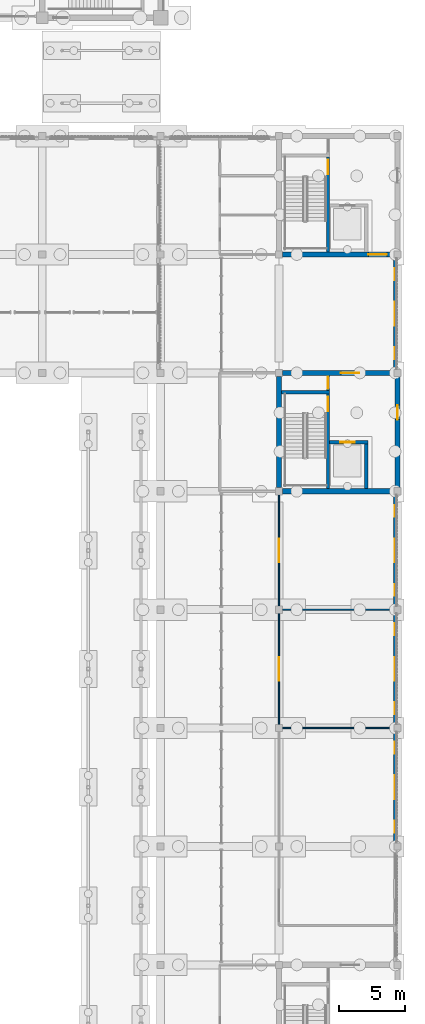
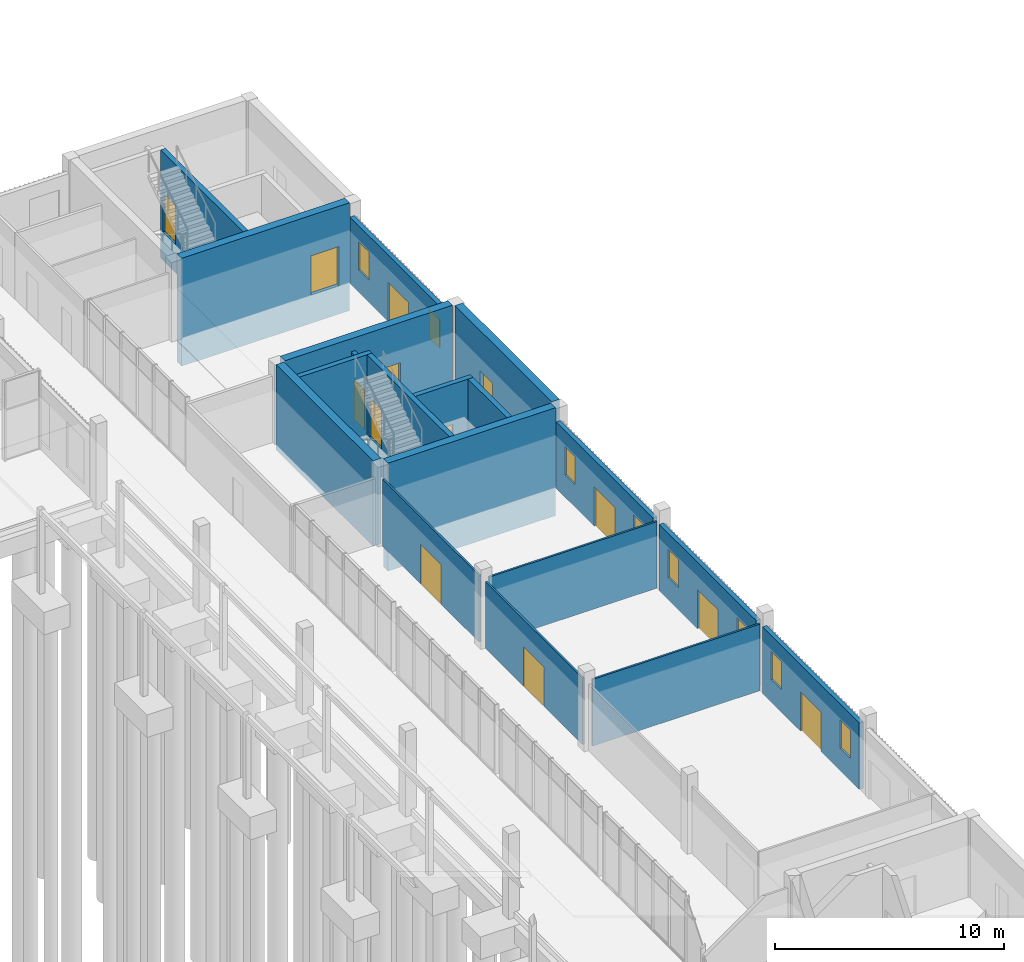
# One storey, part 75 of 106: 19 walls, 13 doors, 8 windows, 21 openings.
"""IFC4 building model written with IfcOpenShell, lengths in metres."""

from ifc_helpers import new_model, si_unit, direction, frame, frame_2d, origin, place, context, subcontext, project, spatial, rectangle, extrude, material, layer, layer_set, type_object, element, fill, save


model = new_model("IFC4")

# Units and contexts
model_context = context("Model", 3, precision=1e-05, world=origin(), true_north=direction((0.0, 1.0)))
body_context = subcontext(model_context, "Body", "Model", "MODEL_VIEW")
ifc_project = project(units=[si_unit("LENGTHUNIT", "METRE"), si_unit("AREAUNIT", "SQUARE_METRE"), si_unit("VOLUMEUNIT", "CUBIC_METRE"), si_unit("PLANEANGLEUNIT", "RADIAN"), si_unit("MASSUNIT", "GRAM", prefix="KILO")], contexts=[model_context])

# Site, building, storey
site_placement = place(None, origin())
site = spatial("IfcSite", under=ifc_project, at=site_placement, CompositionType="ELEMENT")
building_placement = place(site_placement, origin())
building = spatial("IfcBuilding", under=site, at=building_placement, Name="Merrow Basin Faculty of Sciences", CompositionType="ELEMENT")
storey_placement = place(building_placement, origin())
storey = spatial("IfcBuildingStorey", under=building, at=storey_placement, Name="L00", CompositionType="ELEMENT", Elevation=0.0)

# Wall, openings, windows, door
ifc_material_1 = material(Name="Precast concrete C40/50", Category="concrete")
ifc_layer_1 = layer(ifc_material_1, 0.215087890625)
ifc_layer_set_1 = layer_set([ifc_layer_1], Name="External infill wall 215 Precast concrete C40/50")
wall_type_1 = type_object("IfcWallType", Name="External infill wall 215 Precast concrete C40/50", PredefinedType="STANDARD", material=ifc_layer_set_1)
wall_1_placement = place(storey_placement, frame((71.80810546875, 87.72509765625, 0.0), z_axis=(0.0, 0.0, 1.0), x_axis=(0.0, -1.0, 0.0)))
wall_1 = element("IfcWall", 1, at=wall_1_placement, inside=storey, type_object=wall_type_1, Name="E external wall 3", PredefinedType="STANDARD", context=body_context, shape_type="SweptSolid", body=[
    extrude(rectangle(XDim=8.4501953125, YDim=0.215087890625, at=frame_2d((4.22509765625, 0.0))), origin(), (0.0, 0.0, 1.0), 3.550048828125),
])
opening_1_placement = place(wall_1_placement, frame((6.77490234375, 0.0, 1.199951171875)))
opening_1 = element("IfcOpeningElement", 2, at=opening_1_placement, cuts=wall_1, Name="Opening WN16", PredefinedType="OPENING", context=body_context, shape_type="SweptSolid", body=[
    extrude(rectangle(XDim=0.89990234375, YDim=1.5, at=frame_2d((0.449951171875, 0.75))), frame((0.0, 0.117431640625, 0.0), z_axis=(0.0, -1.0, 0.0), x_axis=(1.0, 0.0, 0.0)), (0.0, 0.0, 1.0), 0.235107421875),
])
opening_2_placement = place(wall_1_placement, frame((3.324951171875, 0.0, 0.0)))
opening_2 = element("IfcOpeningElement", 3, at=opening_2_placement, cuts=wall_1, Name="Opening D00C028", PredefinedType="OPENING", context=body_context, shape_type="SweptSolid", body=[
    extrude(rectangle(XDim=1.800048828125, YDim=2.10009765625, at=frame_2d((0.89990234375, 1.050048828125))), frame((0.0, 0.117431640625, 0.0), z_axis=(0.0, -1.0, 0.0), x_axis=(1.0, 0.0, 0.0)), (0.0, 0.0, 1.0), 0.235107421875),
])
opening_3_placement = place(wall_1_placement, frame((0.77490234375, 0.0, 1.199951171875)))
opening_3 = element("IfcOpeningElement", 4, at=opening_3_placement, cuts=wall_1, Name="Opening WN16", PredefinedType="OPENING", context=body_context, shape_type="SweptSolid", body=[
    extrude(rectangle(XDim=0.89990234375, YDim=1.5, at=frame_2d((0.449951171875, 0.75))), frame((0.0, 0.117431640625, 0.0), z_axis=(0.0, -1.0, 0.0), x_axis=(1.0, 0.0, 0.0)), (0.0, 0.0, 1.0), 0.235107421875),
])
ifc_material_2 = material(Name="Low-E double glazing", Category="glass")
window_type = type_object("IfcWindowType", Name="Boundary window 900 x 1500", PartitioningType="SINGLE_PANEL", PredefinedType="WINDOW", material=ifc_material_2)
window_1_placement = place(opening_1_placement, origin())
window_1 = element("IfcWindow", 5, at=window_1_placement, inside=storey, type_object=window_type, Name="E window L00", OverallHeight=1.5, OverallWidth=0.89990234375, PartitioningType="SINGLE_PANEL", PredefinedType="WINDOW", context=body_context, shape_type="SweptSolid", body=[
    extrude(rectangle(XDim=0.89990234375, YDim=1.5, at=frame_2d((0.449951171875, 0.75))), frame((0.0, 0.030029296875, 0.0), z_axis=(0.0, -1.0, 0.0), x_axis=(1.0, 0.0, 0.0)), (0.0, 0.0, 1.0), 0.06005859375),
])
fill(opening_1, window_1)
window_2_placement = place(opening_3_placement, origin())
window_2 = element("IfcWindow", 6, at=window_2_placement, inside=storey, type_object=window_type, Name="E window L00", OverallHeight=1.5, OverallWidth=0.89990234375, PartitioningType="SINGLE_PANEL", PredefinedType="WINDOW", context=body_context, shape_type="SweptSolid", body=[
    extrude(rectangle(XDim=0.89990234375, YDim=1.5, at=frame_2d((0.449951171875, 0.75))), frame((0.0, 0.030029296875, 0.0), z_axis=(0.0, -1.0, 0.0), x_axis=(1.0, 0.0, 0.0)), (0.0, 0.0, 1.0), 0.06005859375),
])
fill(opening_3, window_2)
ifc_material_3 = material(Name="Glazed aluminium door", Category="aluminium")
door_type_1 = type_object("IfcDoorType", Name="Double swing door 1800 x 2100", OperationType="NOTDEFINED", PredefinedType="DOOR", material=ifc_material_3)
door_1_placement = place(opening_2_placement, origin())
door_1 = element("IfcDoor", 7, at=door_1_placement, inside=storey, type_object=door_type_1, Name="E entrance door", OperationType="DOUBLE_DOOR_SINGLE_SWING", OverallHeight=2.10009765625, OverallWidth=1.800048828125, PredefinedType="DOOR", context=body_context, shape_type="SweptSolid", body=[
    extrude(rectangle(XDim=1.800048828125, YDim=2.10009765625, at=frame_2d((0.89990234375, 1.050048828125))), frame((0.0, 0.02490234375, 0.0), z_axis=(0.0, -1.0, 0.0), x_axis=(1.0, 0.0, 0.0)), (0.0, 0.0, 1.0), 0.050048828125),
])
fill(opening_2, door_1)

wall_2_placement = place(storey_placement, frame((71.80810546875, 96.72509765625, 0.0), z_axis=(0.0, 0.0, 1.0), x_axis=(0.0, -1.0, 0.0)))
wall_2 = element("IfcWall", 8, at=wall_2_placement, inside=storey, type_object=wall_type_1, Name="E external wall 4", PredefinedType="STANDARD", context=body_context, shape_type="SweptSolid", body=[
    extrude(rectangle(XDim=8.4501953125, YDim=0.215087890625, at=frame_2d((4.22509765625, 0.0))), origin(), (0.0, 0.0, 1.0), 3.550048828125),
])
opening_4_placement = place(wall_2_placement, frame((6.77490234375, 0.0, 1.199951171875)))
opening_4 = element("IfcOpeningElement", 9, at=opening_4_placement, cuts=wall_2, Name="Opening WN16", PredefinedType="OPENING", context=body_context, shape_type="SweptSolid", body=[
    extrude(rectangle(XDim=0.89990234375, YDim=1.5, at=frame_2d((0.449951171875, 0.75))), frame((0.0, 0.117431640625, 0.0), z_axis=(0.0, -1.0, 0.0), x_axis=(1.0, 0.0, 0.0)), (0.0, 0.0, 1.0), 0.235107421875),
])
opening_5_placement = place(wall_2_placement, frame((3.324951171875, 0.0, 0.0)))
opening_5 = element("IfcOpeningElement", 10, at=opening_5_placement, cuts=wall_2, Name="Opening D00C029", PredefinedType="OPENING", context=body_context, shape_type="SweptSolid", body=[
    extrude(rectangle(XDim=1.800048828125, YDim=2.10009765625, at=frame_2d((0.89990234375, 1.050048828125))), frame((0.0, 0.117431640625, 0.0), z_axis=(0.0, -1.0, 0.0), x_axis=(1.0, 0.0, 0.0)), (0.0, 0.0, 1.0), 0.235107421875),
])
opening_6_placement = place(wall_2_placement, frame((0.77490234375, 0.0, 1.199951171875)))
opening_6 = element("IfcOpeningElement", 11, at=opening_6_placement, cuts=wall_2, Name="Opening WN16", PredefinedType="OPENING", context=body_context, shape_type="SweptSolid", body=[
    extrude(rectangle(XDim=0.89990234375, YDim=1.5, at=frame_2d((0.449951171875, 0.75))), frame((0.0, 0.117431640625, 0.0), z_axis=(0.0, -1.0, 0.0), x_axis=(1.0, 0.0, 0.0)), (0.0, 0.0, 1.0), 0.235107421875),
])
window_3_placement = place(opening_4_placement, origin())
window_3 = element("IfcWindow", 12, at=window_3_placement, inside=storey, type_object=window_type, Name="E window L00", OverallHeight=1.5, OverallWidth=0.89990234375, PartitioningType="SINGLE_PANEL", PredefinedType="WINDOW", context=body_context, shape_type="SweptSolid", body=[
    extrude(rectangle(XDim=0.89990234375, YDim=1.5, at=frame_2d((0.449951171875, 0.75))), frame((0.0, 0.030029296875, 0.0), z_axis=(0.0, -1.0, 0.0), x_axis=(1.0, 0.0, 0.0)), (0.0, 0.0, 1.0), 0.06005859375),
])
fill(opening_4, window_3)
window_4_placement = place(opening_6_placement, origin())
window_4 = element("IfcWindow", 13, at=window_4_placement, inside=storey, type_object=window_type, Name="E window L00", OverallHeight=1.5, OverallWidth=0.89990234375, PartitioningType="SINGLE_PANEL", PredefinedType="WINDOW", context=body_context, shape_type="SweptSolid", body=[
    extrude(rectangle(XDim=0.89990234375, YDim=1.5, at=frame_2d((0.449951171875, 0.75))), frame((0.0, 0.030029296875, 0.0), z_axis=(0.0, -1.0, 0.0), x_axis=(1.0, 0.0, 0.0)), (0.0, 0.0, 1.0), 0.06005859375),
])
fill(opening_6, window_4)
door_2_placement = place(opening_5_placement, origin())
door_2 = element("IfcDoor", 14, at=door_2_placement, inside=storey, type_object=door_type_1, Name="E entrance door", OperationType="DOUBLE_DOOR_SINGLE_SWING", OverallHeight=2.10009765625, OverallWidth=1.800048828125, PredefinedType="DOOR", context=body_context, shape_type="SweptSolid", body=[
    extrude(rectangle(XDim=1.800048828125, YDim=2.10009765625, at=frame_2d((0.89990234375, 1.050048828125))), frame((0.0, 0.02490234375, 0.0), z_axis=(0.0, -1.0, 0.0), x_axis=(1.0, 0.0, 0.0)), (0.0, 0.0, 1.0), 0.050048828125),
])
fill(opening_5, door_2)

wall_3_placement = place(storey_placement, frame((71.80810546875, 105.72509765625, 0.0), z_axis=(0.0, 0.0, 1.0), x_axis=(0.0, -1.0, 0.0)))
wall_3 = element("IfcWall", 15, at=wall_3_placement, inside=storey, type_object=wall_type_1, Name="E external wall 5", PredefinedType="STANDARD", context=body_context, shape_type="SweptSolid", body=[
    extrude(rectangle(XDim=8.4501953125, YDim=0.215087890625, at=frame_2d((4.22509765625, 0.0))), origin(), (0.0, 0.0, 1.0), 3.550048828125),
])
opening_7_placement = place(wall_3_placement, frame((6.77490234375, 0.0, 1.199951171875)))
opening_7 = element("IfcOpeningElement", 16, at=opening_7_placement, cuts=wall_3, Name="Opening WN16", PredefinedType="OPENING", context=body_context, shape_type="SweptSolid", body=[
    extrude(rectangle(XDim=0.89990234375, YDim=1.5, at=frame_2d((0.449951171875, 0.75))), frame((0.0, 0.117431640625, 0.0), z_axis=(0.0, -1.0, 0.0), x_axis=(1.0, 0.0, 0.0)), (0.0, 0.0, 1.0), 0.235107421875),
])
opening_8_placement = place(wall_3_placement, frame((3.324951171875, 0.0, 0.0)))
opening_8 = element("IfcOpeningElement", 17, at=opening_8_placement, cuts=wall_3, Name="Opening D00C030", PredefinedType="OPENING", context=body_context, shape_type="SweptSolid", body=[
    extrude(rectangle(XDim=1.800048828125, YDim=2.10009765625, at=frame_2d((0.89990234375, 1.050048828125))), frame((0.0, 0.117431640625, 0.0), z_axis=(0.0, -1.0, 0.0), x_axis=(1.0, 0.0, 0.0)), (0.0, 0.0, 1.0), 0.235107421875),
])
opening_9_placement = place(wall_3_placement, frame((0.77490234375, 0.0, 1.199951171875)))
opening_9 = element("IfcOpeningElement", 18, at=opening_9_placement, cuts=wall_3, Name="Opening WN16", PredefinedType="OPENING", context=body_context, shape_type="SweptSolid", body=[
    extrude(rectangle(XDim=0.89990234375, YDim=1.5, at=frame_2d((0.449951171875, 0.75))), frame((0.0, 0.117431640625, 0.0), z_axis=(0.0, -1.0, 0.0), x_axis=(1.0, 0.0, 0.0)), (0.0, 0.0, 1.0), 0.235107421875),
])
window_5_placement = place(opening_7_placement, origin())
window_5 = element("IfcWindow", 19, at=window_5_placement, inside=storey, type_object=window_type, Name="E window L00", OverallHeight=1.5, OverallWidth=0.89990234375, PartitioningType="SINGLE_PANEL", PredefinedType="WINDOW", context=body_context, shape_type="SweptSolid", body=[
    extrude(rectangle(XDim=0.89990234375, YDim=1.5, at=frame_2d((0.449951171875, 0.75))), frame((0.0, 0.030029296875, 0.0), z_axis=(0.0, -1.0, 0.0), x_axis=(1.0, 0.0, 0.0)), (0.0, 0.0, 1.0), 0.06005859375),
])
fill(opening_7, window_5)
window_6_placement = place(opening_9_placement, origin())
window_6 = element("IfcWindow", 20, at=window_6_placement, inside=storey, type_object=window_type, Name="E window L00", OverallHeight=1.5, OverallWidth=0.89990234375, PartitioningType="SINGLE_PANEL", PredefinedType="WINDOW", context=body_context, shape_type="SweptSolid", body=[
    extrude(rectangle(XDim=0.89990234375, YDim=1.5, at=frame_2d((0.449951171875, 0.75))), frame((0.0, 0.030029296875, 0.0), z_axis=(0.0, -1.0, 0.0), x_axis=(1.0, 0.0, 0.0)), (0.0, 0.0, 1.0), 0.06005859375),
])
fill(opening_9, window_6)
door_3_placement = place(opening_8_placement, origin())
door_3 = element("IfcDoor", 21, at=door_3_placement, inside=storey, type_object=door_type_1, Name="E entrance door", OperationType="DOUBLE_DOOR_SINGLE_SWING", OverallHeight=2.10009765625, OverallWidth=1.800048828125, PredefinedType="DOOR", context=body_context, shape_type="SweptSolid", body=[
    extrude(rectangle(XDim=1.800048828125, YDim=2.10009765625, at=frame_2d((0.89990234375, 1.050048828125))), frame((0.0, 0.02490234375, 0.0), z_axis=(0.0, -1.0, 0.0), x_axis=(1.0, 0.0, 0.0)), (0.0, 0.0, 1.0), 0.050048828125),
])
fill(opening_8, door_3)

wall_4_placement = place(storey_placement, frame((71.80810546875, 123.72509765625, 0.0), z_axis=(0.0, 0.0, 1.0), x_axis=(0.0, -1.0, 0.0)))
wall_4 = element("IfcWall", 22, at=wall_4_placement, inside=storey, type_object=wall_type_1, Name="E external wall 6", PredefinedType="STANDARD", context=body_context, shape_type="SweptSolid", body=[
    extrude(rectangle(XDim=8.4501953125, YDim=0.215087890625, at=frame_2d((4.22509765625, 0.0))), origin(), (0.0, 0.0, 1.0), 3.550048828125),
])
opening_10_placement = place(wall_4_placement, frame((6.77490234375, 0.0, 1.199951171875)))
opening_10 = element("IfcOpeningElement", 23, at=opening_10_placement, cuts=wall_4, Name="Opening WN16", PredefinedType="OPENING", context=body_context, shape_type="SweptSolid", body=[
    extrude(rectangle(XDim=0.89990234375, YDim=1.5, at=frame_2d((0.449951171875, 0.75))), frame((0.0, 0.117431640625, 0.0), z_axis=(0.0, -1.0, 0.0), x_axis=(1.0, 0.0, 0.0)), (0.0, 0.0, 1.0), 0.235107421875),
])
opening_11_placement = place(wall_4_placement, frame((3.324951171875, 0.0, 0.0)))
opening_11 = element("IfcOpeningElement", 24, at=opening_11_placement, cuts=wall_4, Name="Opening D00C031", PredefinedType="OPENING", context=body_context, shape_type="SweptSolid", body=[
    extrude(rectangle(XDim=1.800048828125, YDim=2.10009765625, at=frame_2d((0.89990234375, 1.050048828125))), frame((0.0, 0.117431640625, 0.0), z_axis=(0.0, -1.0, 0.0), x_axis=(1.0, 0.0, 0.0)), (0.0, 0.0, 1.0), 0.235107421875),
])
opening_12_placement = place(wall_4_placement, frame((0.77490234375, 0.0, 1.199951171875)))
opening_12 = element("IfcOpeningElement", 25, at=opening_12_placement, cuts=wall_4, Name="Opening WN16", PredefinedType="OPENING", context=body_context, shape_type="SweptSolid", body=[
    extrude(rectangle(XDim=0.89990234375, YDim=1.5, at=frame_2d((0.449951171875, 0.75))), frame((0.0, 0.117431640625, 0.0), z_axis=(0.0, -1.0, 0.0), x_axis=(1.0, 0.0, 0.0)), (0.0, 0.0, 1.0), 0.235107421875),
])
window_7_placement = place(opening_10_placement, origin())
window_7 = element("IfcWindow", 26, at=window_7_placement, inside=storey, type_object=window_type, Name="E window L00", OverallHeight=1.5, OverallWidth=0.89990234375, PartitioningType="SINGLE_PANEL", PredefinedType="WINDOW", context=body_context, shape_type="SweptSolid", body=[
    extrude(rectangle(XDim=0.89990234375, YDim=1.5, at=frame_2d((0.449951171875, 0.75))), frame((0.0, 0.030029296875, 0.0), z_axis=(0.0, -1.0, 0.0), x_axis=(1.0, 0.0, 0.0)), (0.0, 0.0, 1.0), 0.06005859375),
])
fill(opening_10, window_7)
window_8_placement = place(opening_12_placement, origin())
window_8 = element("IfcWindow", 27, at=window_8_placement, inside=storey, type_object=window_type, Name="E window L00", OverallHeight=1.5, OverallWidth=0.89990234375, PartitioningType="SINGLE_PANEL", PredefinedType="WINDOW", context=body_context, shape_type="SweptSolid", body=[
    extrude(rectangle(XDim=0.89990234375, YDim=1.5, at=frame_2d((0.449951171875, 0.75))), frame((0.0, 0.030029296875, 0.0), z_axis=(0.0, -1.0, 0.0), x_axis=(1.0, 0.0, 0.0)), (0.0, 0.0, 1.0), 0.06005859375),
])
fill(opening_12, window_8)
door_4_placement = place(opening_11_placement, origin())
door_4 = element("IfcDoor", 28, at=door_4_placement, inside=storey, type_object=door_type_1, Name="E entrance door", OperationType="DOUBLE_DOOR_SINGLE_SWING", OverallHeight=2.10009765625, OverallWidth=1.800048828125, PredefinedType="DOOR", context=body_context, shape_type="SweptSolid", body=[
    extrude(rectangle(XDim=1.800048828125, YDim=2.10009765625, at=frame_2d((0.89990234375, 1.050048828125))), frame((0.0, 0.02490234375, 0.0), z_axis=(0.0, -1.0, 0.0), x_axis=(1.0, 0.0, 0.0)), (0.0, 0.0, 1.0), 0.050048828125),
])
fill(opening_11, door_4)

# Wall, opening, door
ifc_material_4 = material(Name="Gypsum board")
ifc_layer_2 = layer(ifc_material_4, 0.10009765625)
ifc_layer_set_2 = layer_set([ifc_layer_2], Name="Partition 100 gypsum board on steel studs")
wall_type_2 = type_object("IfcWallType", Name="Partition 100 gypsum board on steel studs", PredefinedType="PARTITIONING", material=ifc_layer_set_2)
wall_5_placement = place(storey_placement, frame((63.0, 88.27490234375, 0.0), z_axis=(0.0, 0.0, 1.0), x_axis=(0.0, 1.0, 0.0)))
wall_5 = element("IfcWall", 29, at=wall_5_placement, inside=storey, type_object=wall_type_2, Name="IW100 L00 015", PredefinedType="PARTITIONING", context=body_context, shape_type="SweptSolid", body=[
    extrude(rectangle(XDim=8.4501953125, YDim=0.10009765625, at=frame_2d((4.22509765625, 0.0))), origin(), (0.0, 0.0, 1.0), 3.550048828125),
])
opening_13_placement = place(wall_5_placement, frame((3.324951171875, 0.0, 0.0)))
opening_13 = element("IfcOpeningElement", 30, at=opening_13_placement, cuts=wall_5, Name="Opening D00C021", PredefinedType="OPENING", context=body_context, shape_type="SweptSolid", body=[
    extrude(rectangle(XDim=1.800048828125, YDim=2.10009765625, at=frame_2d((0.89990234375, 1.050048828125))), frame((0.0, 0.06005859375, 0.0), z_axis=(0.0, -1.0, 0.0), x_axis=(1.0, 0.0, 0.0)), (0.0, 0.0, 1.0), 0.1201171875),
])
door_5_placement = place(opening_13_placement, origin())
door_5 = element("IfcDoor", 31, at=door_5_placement, inside=storey, type_object=door_type_1, Name="Door D00C021", OperationType="DOUBLE_DOOR_SINGLE_SWING", OverallHeight=2.10009765625, OverallWidth=1.800048828125, PredefinedType="DOOR", context=body_context, shape_type="SweptSolid", body=[
    extrude(rectangle(XDim=1.800048828125, YDim=2.10009765625, at=frame_2d((0.89990234375, 1.050048828125))), frame((0.0, 0.02490234375, 0.0), z_axis=(0.0, -1.0, 0.0), x_axis=(1.0, 0.0, 0.0)), (0.0, 0.0, 1.0), 0.050048828125),
])
fill(opening_13, door_5)

wall_6_placement = place(storey_placement, frame((63.0, 97.27490234375, 0.0), z_axis=(0.0, 0.0, 1.0), x_axis=(0.0, 1.0, 0.0)))
wall_6 = element("IfcWall", 32, at=wall_6_placement, inside=storey, type_object=wall_type_2, Name="IW100 L00 016", PredefinedType="PARTITIONING", context=body_context, shape_type="SweptSolid", body=[
    extrude(rectangle(XDim=8.4501953125, YDim=0.10009765625, at=frame_2d((4.22509765625, 0.0))), origin(), (0.0, 0.0, 1.0), 3.550048828125),
])
opening_14_placement = place(wall_6_placement, frame((3.324951171875, 0.0, 0.0)))
opening_14 = element("IfcOpeningElement", 33, at=opening_14_placement, cuts=wall_6, Name="Opening D00C022", PredefinedType="OPENING", context=body_context, shape_type="SweptSolid", body=[
    extrude(rectangle(XDim=1.800048828125, YDim=2.10009765625, at=frame_2d((0.89990234375, 1.050048828125))), frame((0.0, 0.06005859375, 0.0), z_axis=(0.0, -1.0, 0.0), x_axis=(1.0, 0.0, 0.0)), (0.0, 0.0, 1.0), 0.1201171875),
])
door_6_placement = place(opening_14_placement, origin())
door_6 = element("IfcDoor", 34, at=door_6_placement, inside=storey, type_object=door_type_1, Name="Door D00C022", OperationType="DOUBLE_DOOR_SINGLE_SWING", OverallHeight=2.10009765625, OverallWidth=1.800048828125, PredefinedType="DOOR", context=body_context, shape_type="SweptSolid", body=[
    extrude(rectangle(XDim=1.800048828125, YDim=2.10009765625, at=frame_2d((0.89990234375, 1.050048828125))), frame((0.0, 0.02490234375, 0.0), z_axis=(0.0, -1.0, 0.0), x_axis=(1.0, 0.0, 0.0)), (0.0, 0.0, 1.0), 0.050048828125),
])
fill(opening_14, door_6)

# Walls
for number, where, z_axis, x_axis, name in (
    (35, (63.27490234375, 88.0, 0.0), (0.0, 0.0, 1.0), (1.0, 0.0, 0.0), "IW100 L00 020"),
    (36, (63.27490234375, 97.0, 0.0), (0.0, 0.0, 1.0), (1.0, 0.0, 0.0), "IW100 L00 021"),
):
    element("IfcWall", number, at=place(storey_placement, frame(where, z_axis=z_axis, x_axis=x_axis)), inside=storey, type_object=wall_type_2, Name=name, PredefinedType="PARTITIONING", context=body_context, shape_type="SweptSolid", body=[
        extrude(rectangle(XDim=8.4501953125, YDim=0.10009765625, at=frame_2d((4.22509765625, 0.0))), origin(), (0.0, 0.0, 1.0), 3.550048828125),
    ])

# Wall, opening, door
ifc_material_5 = material(Name="Fire-rated gypsum board")
ifc_layer_3 = layer(ifc_material_5, 0.199951171875)
ifc_layer_set_3 = layer_set([ifc_layer_3], Name="Riser lining 200 fire-rated board on steel studs")
wall_type_3 = type_object("IfcWallType", Name="Riser lining 200 fire-rated board on steel studs", PredefinedType="PARTITIONING", material=ifc_layer_set_3)
wall_7_placement = place(storey_placement, frame((66.72509765625, 113.64990234375, 0.0), z_axis=(0.0, 0.0, 1.0), x_axis=(0.0, 1.0, 0.0)))
wall_7 = element("IfcWall", 37, at=wall_7_placement, inside=storey, type_object=wall_type_3, Name="IW200 L00 003", PredefinedType="PARTITIONING", context=body_context, shape_type="SweptSolid", body=[
    extrude(rectangle(XDim=1.150146484375, YDim=0.199951171875, at=frame_2d((0.5751953125, 0.0))), origin(), (0.0, 0.0, 1.0), 3.550048828125),
])
opening_15_placement = place(wall_7_placement, frame((0.14990234375, 0.0, 0.0)))
opening_15 = element("IfcOpeningElement", 38, at=opening_15_placement, cuts=wall_7, Name="Opening D00C008", PredefinedType="OPENING", context=body_context, shape_type="SweptSolid", body=[
    extrude(rectangle(XDim=0.89990234375, YDim=2.10009765625, at=frame_2d((0.449951171875, 1.050048828125))), frame((0.0, 0.10986328125, 0.0), z_axis=(0.0, -1.0, 0.0), x_axis=(1.0, 0.0, 0.0)), (0.0, 0.0, 1.0), 0.219970703125),
])
ifc_material_6 = material(Name="Fire-rated steel door", Category="steel")
door_type_2 = type_object("IfcDoorType", Name="Fire door FD60 900 x 2100", OperationType="NOTDEFINED", PredefinedType="DOOR", material=ifc_material_6)
door_7_placement = place(opening_15_placement, origin())
door_7 = element("IfcDoor", 39, at=door_7_placement, inside=storey, type_object=door_type_2, Name="Door D00C008", OperationType="SINGLE_SWING_LEFT", OverallHeight=2.10009765625, OverallWidth=0.89990234375, PredefinedType="DOOR", context=body_context, shape_type="SweptSolid", body=[
    extrude(rectangle(XDim=0.89990234375, YDim=2.10009765625, at=frame_2d((0.449951171875, 1.050048828125))), frame((0.0, 0.02490234375, 0.0), z_axis=(0.0, -1.0, 0.0), x_axis=(1.0, 0.0, 0.0)), (0.0, 0.0, 1.0), 0.050048828125),
])
fill(opening_15, door_7)

# Wall
ifc_material_7 = material(Name="Concrete C40/50", Category="concrete")
ifc_layer_4 = layer(ifc_material_7, 0.25)
ifc_layer_set_4 = layer_set([ifc_layer_4], Name="Shear wall 250 Concrete C40/50")
wall_type_4 = type_object("IfcWallType", Name="Shear wall 250 Concrete C40/50", PredefinedType="SHEAR", material=ifc_layer_set_4)
wall_8_placement = place(storey_placement, frame((63.199951171875, 113.52490234375, -0.300048828125), z_axis=(0.0, 0.0, 1.0), x_axis=(1.0, 0.0, 0.0)))
element("IfcWall", 40, at=wall_8_placement, inside=storey, type_object=wall_type_4, Name="SW2 L00 021", PredefinedType="SHEAR", context=body_context, shape_type="SweptSolid", body=[
    extrude(rectangle(XDim=3.650146484375, YDim=0.25, at=frame_2d((1.8251953125, 0.0))), origin(), (0.0, 0.0, 1.0), 4.550048828125),
])

# Wall, opening, door
wall_9_placement = place(storey_placement, frame((66.72509765625, 106.199951171875, -1.5), z_axis=(0.0, 0.0, 1.0), x_axis=(0.0, 1.0, 0.0)))
wall_9 = element("IfcWall", 41, at=wall_9_placement, inside=storey, type_object=wall_type_4, Name="SW2 L00 022", PredefinedType="SHEAR", context=body_context, shape_type="SweptSolid", body=[
    extrude(rectangle(XDim=7.199951171875, YDim=0.25, at=frame_2d((3.60009765625, 0.0))), origin(), (0.0, 0.0, 1.0), 5.75),
])
opening_16_placement = place(wall_9_placement, frame((5.89990234375, 0.0, 1.5)))
opening_16 = element("IfcOpeningElement", 42, at=opening_16_placement, cuts=wall_9, Name="Opening D00C005", PredefinedType="OPENING", context=body_context, shape_type="SweptSolid", body=[
    extrude(rectangle(XDim=1.10009765625, YDim=2.10009765625, at=frame_2d((0.550048828125, 1.050048828125))), frame((0.0, 0.135009765625, 0.0), z_axis=(0.0, -1.0, 0.0), x_axis=(1.0, 0.0, 0.0)), (0.0, 0.0, 1.0), 0.27001953125),
])
ifc_material_8 = material(Name="Fire-rated steel door", Category="steel")
door_type_3 = type_object("IfcDoorType", Name="Fire door FD90 1100 x 2100", OperationType="NOTDEFINED", PredefinedType="DOOR", material=ifc_material_8)
door_8_placement = place(opening_16_placement, origin())
door_8 = element("IfcDoor", 43, at=door_8_placement, inside=storey, type_object=door_type_3, Name="Door D00C005", OperationType="SINGLE_SWING_RIGHT", OverallHeight=2.10009765625, OverallWidth=1.10009765625, PredefinedType="DOOR", context=body_context, shape_type="SweptSolid", body=[
    extrude(rectangle(XDim=1.10009765625, YDim=2.10009765625, at=frame_2d((0.550048828125, 1.050048828125))), frame((0.0, 0.02490234375, 0.0), z_axis=(0.0, -1.0, 0.0), x_axis=(1.0, 0.0, 0.0)), (0.0, 0.0, 1.0), 0.050048828125),
])
fill(opening_16, door_8)

wall_10_placement = place(storey_placement, frame((66.85009765625, 109.72509765625, -1.5), z_axis=(0.0, 0.0, 1.0), x_axis=(1.0, 0.0, 0.0)))
wall_10 = element("IfcWall", 44, at=wall_10_placement, inside=storey, type_object=wall_type_4, Name="SW2 L00 023", PredefinedType="SHEAR", context=body_context, shape_type="SweptSolid", body=[
    extrude(rectangle(XDim=2.89990234375, YDim=0.25, at=frame_2d((1.449951171875, 0.0))), origin(), (0.0, 0.0, 1.0), 5.75),
])
opening_17_placement = place(wall_10_placement, frame((0.800048828125, 0.0, 1.5)))
opening_17 = element("IfcOpeningElement", 45, at=opening_17_placement, cuts=wall_10, Name="Opening LD00C03", PredefinedType="OPENING", context=body_context, shape_type="SweptSolid", body=[
    extrude(rectangle(XDim=1.10009765625, YDim=2.10009765625, at=frame_2d((0.550048828125, 1.050048828125))), frame((0.0, 0.135009765625, 0.0), z_axis=(0.0, -1.0, 0.0), x_axis=(1.0, 0.0, 0.0)), (0.0, 0.0, 1.0), 0.27001953125),
])
ifc_material_9 = material(Name="Stainless steel sliding door", Category="steel")
door_type_4 = type_object("IfcDoorType", Name="Lift landing door 1100 x 2100 sliding", OperationType="NOTDEFINED", PredefinedType="DOOR", material=ifc_material_9)
door_9_placement = place(opening_17_placement, origin())
door_9 = element("IfcDoor", 46, at=door_9_placement, inside=storey, type_object=door_type_4, Name="Landing door LF7 L00", OperationType="SLIDING_TO_LEFT", OverallHeight=2.10009765625, OverallWidth=1.10009765625, PredefinedType="DOOR", context=body_context, shape_type="SweptSolid", body=[
    extrude(rectangle(XDim=1.10009765625, YDim=2.10009765625, at=frame_2d((0.550048828125, 1.050048828125))), frame((0.0, 0.02490234375, 0.0), z_axis=(0.0, -1.0, 0.0), x_axis=(1.0, 0.0, 0.0)), (0.0, 0.0, 1.0), 0.050048828125),
])
fill(opening_17, door_9)

# Wall
wall_11_placement = place(storey_placement, frame((69.625, 106.199951171875, -1.5), z_axis=(0.0, 0.0, 1.0), x_axis=(0.0, 1.0, 0.0)))
element("IfcWall", 47, at=wall_11_placement, inside=storey, type_object=wall_type_4, Name="SW2 L00 024", PredefinedType="SHEAR", context=body_context, shape_type="SweptSolid", body=[
    extrude(rectangle(XDim=3.400146484375, YDim=0.25, at=frame_2d((1.7001953125, 0.0))), origin(), (0.0, 0.0, 1.0), 5.75),
])

# Wall, opening, door
wall_12_placement = place(storey_placement, frame((66.72509765625, 124.199951171875, -1.5), z_axis=(0.0, 0.0, 1.0), x_axis=(0.0, 1.0, 0.0)))
wall_12 = element("IfcWall", 48, at=wall_12_placement, inside=storey, type_object=wall_type_4, Name="SW2 L00 030", PredefinedType="SHEAR", context=body_context, shape_type="SweptSolid", body=[
    extrude(rectangle(XDim=7.199951171875, YDim=0.25, at=frame_2d((3.60009765625, 0.0))), origin(), (0.0, 0.0, 1.0), 5.75),
])
opening_18_placement = place(wall_12_placement, frame((5.89990234375, 0.0, 1.5)))
opening_18 = element("IfcOpeningElement", 49, at=opening_18_placement, cuts=wall_12, Name="Opening D00C009", PredefinedType="OPENING", context=body_context, shape_type="SweptSolid", body=[
    extrude(rectangle(XDim=1.10009765625, YDim=2.10009765625, at=frame_2d((0.550048828125, 1.050048828125))), frame((0.0, 0.135009765625, 0.0), z_axis=(0.0, -1.0, 0.0), x_axis=(1.0, 0.0, 0.0)), (0.0, 0.0, 1.0), 0.27001953125),
])
door_10_placement = place(opening_18_placement, origin())
door_10 = element("IfcDoor", 50, at=door_10_placement, inside=storey, type_object=door_type_3, Name="Door D00C009", OperationType="SINGLE_SWING_RIGHT", OverallHeight=2.10009765625, OverallWidth=1.10009765625, PredefinedType="DOOR", context=body_context, shape_type="SweptSolid", body=[
    extrude(rectangle(XDim=1.10009765625, YDim=2.10009765625, at=frame_2d((0.550048828125, 1.050048828125))), frame((0.0, 0.02490234375, 0.0), z_axis=(0.0, -1.0, 0.0), x_axis=(1.0, 0.0, 0.0)), (0.0, 0.0, 1.0), 0.050048828125),
])
fill(opening_18, door_10)

# Wall
ifc_material_10 = material(Name="Concrete C40/50", Category="concrete")
ifc_layer_5 = layer(ifc_material_10, 0.39990234375)
ifc_layer_set_5 = layer_set([ifc_layer_5], Name="Shear wall 400 Concrete C40/50")
wall_type_5 = type_object("IfcWallType", Name="Shear wall 400 Concrete C40/50", PredefinedType="SHEAR", material=ifc_layer_set_5)
wall_13_placement = place(storey_placement, frame((63.27490234375, 106.0, -1.5), z_axis=(0.0, 0.0, 1.0), x_axis=(1.0, 0.0, 0.0)))
element("IfcWall", 51, at=wall_13_placement, inside=storey, type_object=wall_type_5, Name="SW1 L00 017", PredefinedType="SHEAR", context=body_context, shape_type="SweptSolid", body=[
    extrude(rectangle(XDim=8.4501953125, YDim=0.39990234375, at=frame_2d((4.22509765625, 0.0))), origin(), (0.0, 0.0, 1.0), 5.75),
])

# Wall, opening, door
wall_14_placement = place(storey_placement, frame((63.27490234375, 115.0, -0.300048828125), z_axis=(0.0, 0.0, 1.0), x_axis=(1.0, 0.0, 0.0)))
wall_14 = element("IfcWall", 52, at=wall_14_placement, inside=storey, type_object=wall_type_5, Name="SW1 L00 018", PredefinedType="SHEAR", context=body_context, shape_type="SweptSolid", body=[
    extrude(rectangle(XDim=8.4501953125, YDim=0.39990234375, at=frame_2d((4.22509765625, 0.0))), origin(), (0.0, 0.0, 1.0), 4.550048828125),
])
opening_19_placement = place(wall_14_placement, frame((4.425048828125, 0.0, 0.300048828125)))
opening_19 = element("IfcOpeningElement", 53, at=opening_19_placement, cuts=wall_14, Name="Opening D00C006", PredefinedType="OPENING", context=body_context, shape_type="SweptSolid", body=[
    extrude(rectangle(XDim=1.39990234375, YDim=2.10009765625, at=frame_2d((0.699951171875, 1.050048828125))), frame((0.0, 0.2099609375, 0.0), z_axis=(0.0, -1.0, 0.0), x_axis=(1.0, 0.0, 0.0)), (0.0, 0.0, 1.0), 0.419921875),
])
ifc_material_11 = material(Name="Fire-rated steel door", Category="steel")
door_type_5 = type_object("IfcDoorType", Name="Fire door FD60 1400 x 2100", OperationType="NOTDEFINED", PredefinedType="DOOR", material=ifc_material_11)
door_11_placement = place(opening_19_placement, origin())
door_11 = element("IfcDoor", 54, at=door_11_placement, inside=storey, type_object=door_type_5, Name="Door D00C006", OperationType="SINGLE_SWING_RIGHT", OverallHeight=2.10009765625, OverallWidth=1.39990234375, PredefinedType="DOOR", context=body_context, shape_type="SweptSolid", body=[
    extrude(rectangle(XDim=1.39990234375, YDim=2.10009765625, at=frame_2d((0.699951171875, 1.050048828125))), frame((0.0, 0.02490234375, 0.0), z_axis=(0.0, -1.0, 0.0), x_axis=(1.0, 0.0, 0.0)), (0.0, 0.0, 1.0), 0.050048828125),
])
fill(opening_19, door_11)

# Wall
wall_15_placement = place(storey_placement, frame((63.0, 106.27490234375, -0.300048828125), z_axis=(0.0, 0.0, 1.0), x_axis=(0.0, 1.0, 0.0)))
element("IfcWall", 55, at=wall_15_placement, inside=storey, type_object=wall_type_5, Name="SW1 L00 019", PredefinedType="SHEAR", context=body_context, shape_type="SweptSolid", body=[
    extrude(rectangle(XDim=8.4501953125, YDim=0.39990234375, at=frame_2d((4.22509765625, 0.0))), origin(), (0.0, 0.0, 1.0), 4.550048828125),
])

# Wall, opening, door
wall_16_placement = place(storey_placement, frame((72.0, 106.27490234375, -0.300048828125), z_axis=(0.0, 0.0, 1.0), x_axis=(0.0, 1.0, 0.0)))
wall_16 = element("IfcWall", 56, at=wall_16_placement, inside=storey, type_object=wall_type_5, Name="SW1 L00 020", PredefinedType="SHEAR", context=body_context, shape_type="SweptSolid", body=[
    extrude(rectangle(XDim=8.4501953125, YDim=0.39990234375, at=frame_2d((4.22509765625, 0.0))), origin(), (0.0, 0.0, 1.0), 4.550048828125),
])
opening_20_placement = place(wall_16_placement, frame((5.175048828125, 0.0, 0.300048828125)))
opening_20 = element("IfcOpeningElement", 57, at=opening_20_placement, cuts=wall_16, Name="Opening D00C007", PredefinedType="OPENING", context=body_context, shape_type="SweptSolid", body=[
    extrude(rectangle(XDim=1.10009765625, YDim=2.10009765625, at=frame_2d((0.550048828125, 1.050048828125))), frame((0.0, 0.2099609375, 0.0), z_axis=(0.0, -1.0, 0.0), x_axis=(1.0, 0.0, 0.0)), (0.0, 0.0, 1.0), 0.419921875),
])
door_12_placement = place(opening_20_placement, frame((1.10009765625, 0.0, 0.0), z_axis=(0.0, 0.0, 1.0), x_axis=(-1.0, 0.0, 0.0)))
door_12 = element("IfcDoor", 58, at=door_12_placement, inside=storey, type_object=door_type_3, Name="Core M exit door", OperationType="SINGLE_SWING_LEFT", OverallHeight=2.10009765625, OverallWidth=1.10009765625, PredefinedType="DOOR", context=body_context, shape_type="SweptSolid", body=[
    extrude(rectangle(XDim=1.10009765625, YDim=2.10009765625, at=frame_2d((0.550048828125, 1.050048828125))), frame((0.0, 0.02490234375, 0.0), z_axis=(0.0, -1.0, 0.0), x_axis=(1.0, 0.0, 0.0)), (0.0, 0.0, 1.0), 0.050048828125),
])
fill(opening_20, door_12)

wall_17_placement = place(storey_placement, frame((63.27490234375, 124.0, -1.5), z_axis=(0.0, 0.0, 1.0), x_axis=(1.0, 0.0, 0.0)))
wall_17 = element("IfcWall", 59, at=wall_17_placement, inside=storey, type_object=wall_type_5, Name="SW1 L00 025", PredefinedType="SHEAR", context=body_context, shape_type="SweptSolid", body=[
    extrude(rectangle(XDim=8.4501953125, YDim=0.39990234375, at=frame_2d((4.22509765625, 0.0))), origin(), (0.0, 0.0, 1.0), 5.75),
])
opening_21_placement = place(wall_17_placement, frame((6.52490234375, 0.0, 1.5)))
opening_21 = element("IfcOpeningElement", 60, at=opening_21_placement, cuts=wall_17, Name="Opening D00C010", PredefinedType="OPENING", context=body_context, shape_type="SweptSolid", body=[
    extrude(rectangle(XDim=1.39990234375, YDim=2.10009765625, at=frame_2d((0.699951171875, 1.050048828125))), frame((0.0, 0.2099609375, 0.0), z_axis=(0.0, -1.0, 0.0), x_axis=(1.0, 0.0, 0.0)), (0.0, 0.0, 1.0), 0.419921875),
])
door_13_placement = place(opening_21_placement, origin())
door_13 = element("IfcDoor", 61, at=door_13_placement, inside=storey, type_object=door_type_5, Name="Door D00C010", OperationType="SINGLE_SWING_RIGHT", OverallHeight=2.10009765625, OverallWidth=1.39990234375, PredefinedType="DOOR", context=body_context, shape_type="SweptSolid", body=[
    extrude(rectangle(XDim=1.39990234375, YDim=2.10009765625, at=frame_2d((0.699951171875, 1.050048828125))), frame((0.0, 0.02490234375, 0.0), z_axis=(0.0, -1.0, 0.0), x_axis=(1.0, 0.0, 0.0)), (0.0, 0.0, 1.0), 0.050048828125),
])
fill(opening_21, door_13)

save(model, "model.ifc")
